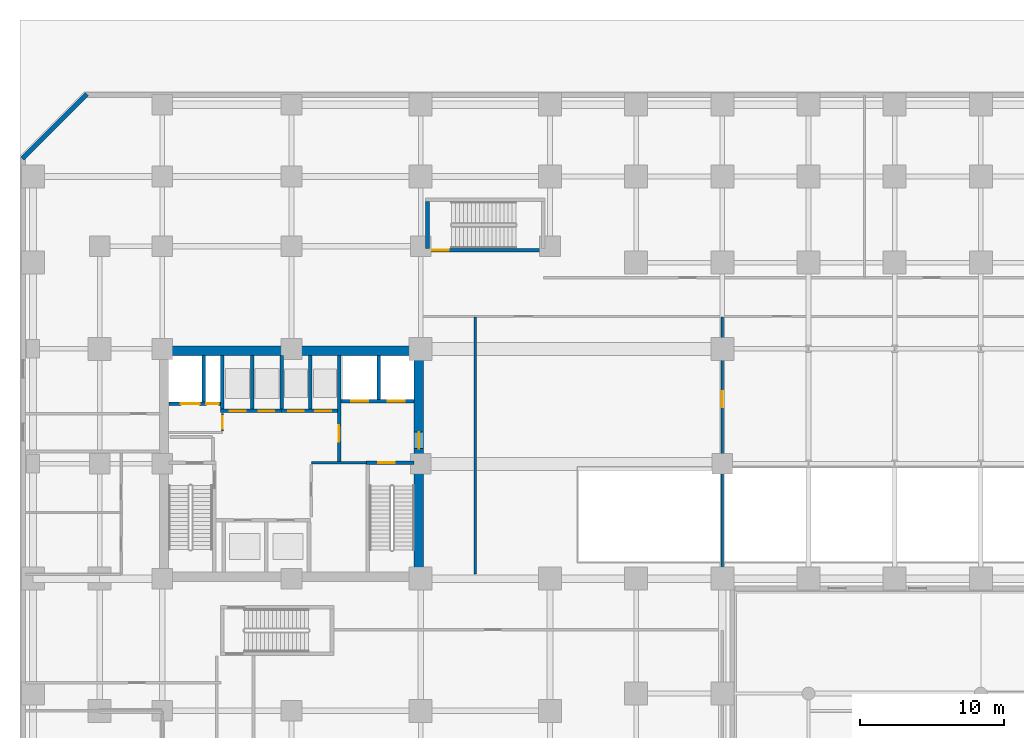
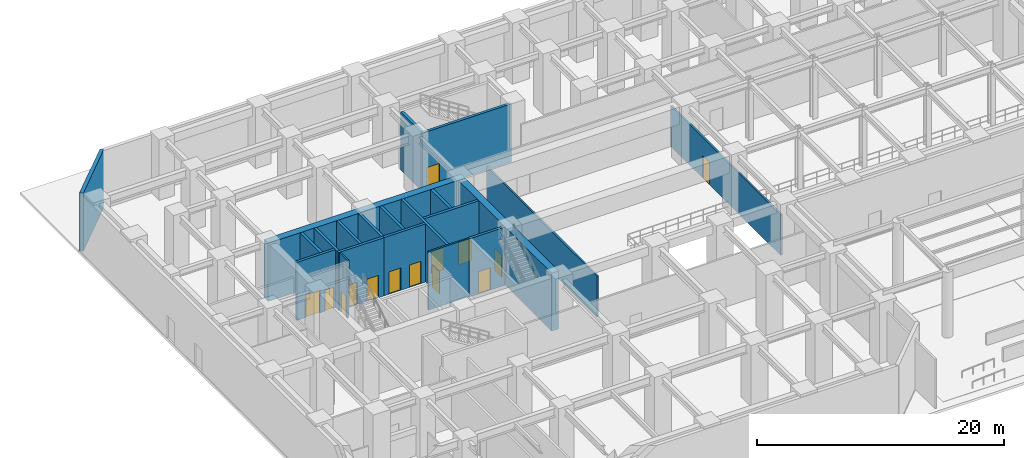
# One storey, part 6 of 13: 21 walls, 14 doors, 14 openings.
"""IFC4 building model written with IfcOpenShell, lengths in metres."""

from ifc_helpers import new_model, si_unit, direction, frame, frame_2d, origin, place, context, subcontext, project, spatial, rectangle, extrude, source, transform, mapped, material, layer, layer_set, type_object, element, fill, save


model = new_model("IFC4")

# Units and contexts
model_context = context("Model", 3, precision=1e-05, world=origin(), true_north=direction((0.0, 1.0)))
body_context = subcontext(model_context, "Body", "Model", "MODEL_VIEW")
ifc_project = project(units=[si_unit("LENGTHUNIT", "METRE"), si_unit("AREAUNIT", "SQUARE_METRE"), si_unit("VOLUMEUNIT", "CUBIC_METRE"), si_unit("PLANEANGLEUNIT", "RADIAN"), si_unit("MASSUNIT", "GRAM", prefix="KILO")], contexts=[model_context])

# Site, building, storey
site_placement = place(None, origin())
site = spatial("IfcSite", under=ifc_project, at=site_placement, CompositionType="ELEMENT")
building_placement = place(site_placement, origin())
building = spatial("IfcBuilding", under=site, at=building_placement, Name="Torre Montelarca", CompositionType="ELEMENT")
storey_placement = place(building_placement, origin())
storey = spatial("IfcBuildingStorey", under=building, at=storey_placement, Name="L01", CompositionType="ELEMENT", Elevation=0.0)

# Wall, opening, door
ifc_material_1 = material(Name="Concrete C40/50", Category="concrete")
ifc_layer_1 = layer(ifc_material_1, 0.25, Name="Concrete C40/50", Category="concrete")
ifc_layer_set_1 = layer_set([ifc_layer_1], Name="Concrete C40/50")
wall_type_1 = type_object("IfcWallType", Name="CW-SHAFT-250", PredefinedType="SHEAR", material=ifc_layer_set_1)
wall_1_placement = place(storey_placement, frame((23.18994140625, 32.074951171875, 0.0), z_axis=(0.0, 0.0, 1.0), x_axis=(1.0, 0.0, 0.0)))
wall_1 = element("IfcWall", 1, at=wall_1_placement, inside=storey, type_object=wall_type_1, Name="L01 Core Shear Wall SH-ST2-N", PredefinedType="SHEAR", context=body_context, shape_type="SweptSolid", body=[
    extrude(rectangle(XDim=3.35009765625, YDim=0.25, at=frame_2d((1.675048828125, 0.0))), origin(), (0.0, 0.0, 1.0), 5.739990234375),
])
opening_1_placement = place(wall_1_placement, frame((0.85009765625, 0.0, 0.0)))
opening_1 = element("IfcOpeningElement", 2, at=opening_1_placement, cuts=wall_1, Name="Opening FD-ST1", PredefinedType="OPENING", context=body_context, shape_type="SweptSolid", body=[
    extrude(rectangle(XDim=1.14990234375, YDim=2.199951171875, at=frame_2d((0.574951171875, 1.10009765625))), frame((0.0, 0.135009765625, 0.0), z_axis=(0.0, -1.0, 0.0), x_axis=(1.0, 0.0, 0.0)), (0.0, 0.0, 1.0), 0.27001953125),
])
ifc_material_2 = material(Name="Galvanized steel fire door", Category="steel")
door_type_1 = type_object("IfcDoorType", Name="DR-STAIR-115", OperationType="NOTDEFINED", PredefinedType="DOOR", material=ifc_material_2)
shared_shape_1 = source(origin(), body_context, "Body", "SweptSolid", [
    extrude(rectangle(XDim=1.14990234375, YDim=2.199951171875, at=frame_2d((0.574951171875, 1.10009765625))), frame((0.0, 0.02490234375, 0.0), z_axis=(0.0, -1.0, 0.0), x_axis=(1.0, 0.0, 0.0)), (0.0, 0.0, 1.0), 0.050048828125),
])
door_1_placement = place(opening_1_placement, origin())
door_1 = element("IfcDoor", 3, at=door_1_placement, inside=storey, type_object=door_type_1, Name="L01 Exit Stair ST2 Fire Door", OperationType="SINGLE_SWING_RIGHT", OverallHeight=2.199951171875, OverallWidth=1.14990234375, PredefinedType="DOOR", context=body_context, shape_type="MappedRepresentation", body=[
    mapped(shared_shape_1, transform((0.0, 0.0, 0.0), scale=1.0)),
])
fill(opening_1, door_1)

wall_2_placement = place(storey_placement, frame((21.320068359375, 32.1201171875, 0.0), z_axis=(0.0, 0.0, 1.0), x_axis=(0.0, 1.0, 0.0)))
wall_2 = element("IfcWall", 4, at=wall_2_placement, inside=storey, type_object=wall_type_1, Name="L01 Core Shear Wall SH-FFL-W", PredefinedType="SHEAR", context=body_context, shape_type="SweptSolid", body=[
    extrude(rectangle(XDim=7.419921875, YDim=0.25, at=frame_2d((3.7099609375, 0.0))), origin(), (0.0, 0.0, 1.0), 5.739990234375),
])
opening_2_placement = place(wall_2_placement, frame((1.39990234375, 0.0, 0.0)))
opening_2 = element("IfcOpeningElement", 5, at=opening_2_placement, cuts=wall_2, Name="Opening FD-LB1", PredefinedType="OPENING", context=body_context, shape_type="SweptSolid", body=[
    extrude(rectangle(XDim=1.14990234375, YDim=2.199951171875, at=frame_2d((0.574951171875, 1.10009765625))), frame((0.0, 0.135009765625, 0.0), z_axis=(0.0, -1.0, 0.0), x_axis=(1.0, 0.0, 0.0)), (0.0, 0.0, 1.0), 0.27001953125),
])
ifc_material_3 = material(Name="Acoustic timber-veneered fire door", Category="wood")
door_type_2 = type_object("IfcDoorType", Name="DR-LOBBY-115", OperationType="NOTDEFINED", PredefinedType="DOOR", material=ifc_material_3)
shared_shape_2 = source(origin(), body_context, "Body", "SweptSolid", [
    extrude(rectangle(XDim=1.14990234375, YDim=2.199951171875, at=frame_2d((0.574951171875, 1.10009765625))), frame((0.0, 0.02490234375, 0.0), z_axis=(0.0, -1.0, 0.0), x_axis=(1.0, 0.0, 0.0)), (0.0, 0.0, 1.0), 0.050048828125),
])
door_2_placement = place(opening_2_placement, origin())
door_2 = element("IfcDoor", 6, at=door_2_placement, inside=storey, type_object=door_type_2, Name="L01 Lift Lobby to Firefighting Lobby Smoke Door", OperationType="SINGLE_SWING_LEFT", OverallHeight=2.199951171875, OverallWidth=1.14990234375, PredefinedType="DOOR", context=body_context, shape_type="MappedRepresentation", body=[
    mapped(shared_shape_2, transform((0.0, 0.0, 0.0), scale=1.0)),
])
fill(opening_2, door_2)

# Wall, openings, doors
wall_3_placement = place(storey_placement, frame((9.4599609375, 36.179931640625, 0.0), z_axis=(0.0, 0.0, 1.0), x_axis=(1.0, 0.0, 0.0)))
wall_3 = element("IfcWall", 7, at=wall_3_placement, inside=storey, type_object=wall_type_1, Name="L01 Core Shear Wall SH-SV1-S", PredefinedType="SHEAR", context=body_context, shape_type="SweptSolid", body=[
    extrude(rectangle(XDim=3.7900390625, YDim=0.25, at=frame_2d((1.89501953125, 0.0))), origin(), (0.0, 0.0, 1.0), 5.739990234375),
])
opening_3_placement = place(wall_3_placement, frame((2.6201171875, 0.0, 0.0)))
opening_3 = element("IfcOpeningElement", 8, at=opening_3_placement, cuts=wall_3, Name="Opening FD-085", PredefinedType="OPENING", context=body_context, shape_type="SweptSolid", body=[
    extrude(rectangle(XDim=0.85009765625, YDim=2.10009765625, at=frame_2d((0.425048828125, 1.050048828125))), frame((0.0, 0.135009765625, 0.0), z_axis=(0.0, -1.0, 0.0), x_axis=(1.0, 0.0, 0.0)), (0.0, 0.0, 1.0), 0.27001953125),
])
opening_4_placement = place(wall_3_placement, frame((0.85009765625, 0.0, 0.0)))
opening_4 = element("IfcOpeningElement", 9, at=opening_4_placement, cuts=wall_3, Name="Opening LD-130", PredefinedType="OPENING", context=body_context, shape_type="SweptSolid", body=[
    extrude(rectangle(XDim=1.300048828125, YDim=2.25, at=frame_2d((0.64990234375, 1.125))), frame((0.0, 0.135009765625, 0.0), z_axis=(0.0, -1.0, 0.0), x_axis=(1.0, 0.0, 0.0)), (0.0, 0.0, 1.0), 0.27001953125),
])
ifc_material_4 = material(Name="Steel riser access fire door", Category="steel")
door_type_3 = type_object("IfcDoorType", Name="DR-RISER-085", OperationType="NOTDEFINED", PredefinedType="DOOR", material=ifc_material_4)
shared_shape_3 = source(origin(), body_context, "Body", "SweptSolid", [
    extrude(rectangle(XDim=0.85009765625, YDim=2.10009765625, at=frame_2d((0.425048828125, 1.050048828125))), frame((0.0, 0.02490234375, 0.0), z_axis=(0.0, -1.0, 0.0), x_axis=(1.0, 0.0, 0.0)), (0.0, 0.0, 1.0), 0.050048828125),
])
door_3_placement = place(opening_3_placement, origin())
door_3 = element("IfcDoor", 10, at=door_3_placement, inside=storey, type_object=door_type_3, Name="L01 Electrical Riser Shaft Access Door", OperationType="SINGLE_SWING_RIGHT", OverallHeight=2.10009765625, OverallWidth=0.85009765625, PredefinedType="DOOR", context=body_context, shape_type="MappedRepresentation", body=[
    mapped(shared_shape_3, transform((0.0, 0.0, 0.0), scale=1.0)),
])
fill(opening_3, door_3)
ifc_material_5 = material(Name="Brushed stainless steel AISI 316", Category="steel")
door_type_4 = type_object("IfcDoorType", Name="DR-LIFT-130", OperationType="SLIDING_TO_LEFT", PredefinedType="DOOR", material=ifc_material_5)
shared_shape_4 = source(origin(), body_context, "Body", "SweptSolid", [
    extrude(rectangle(XDim=1.300048828125, YDim=2.25, at=frame_2d((0.64990234375, 1.125))), frame((0.0, 0.02490234375, 0.0), z_axis=(0.0, -1.0, 0.0), x_axis=(1.0, 0.0, 0.0)), (0.0, 0.0, 1.0), 0.050048828125),
])
door_4_placement = place(opening_4_placement, origin())
door_4 = element("IfcDoor", 11, at=door_4_placement, inside=storey, type_object=door_type_4, Name="L01 Lift Landing Sliding Door SV-1", OperationType="SLIDING_TO_LEFT", OverallHeight=2.25, OverallWidth=1.300048828125, PredefinedType="DOOR", context=body_context, shape_type="MappedRepresentation", body=[
    mapped(shared_shape_4, transform((0.0, 0.0, 0.0), scale=1.0)),
])
fill(opening_4, door_4)

# Wall
wall_4_placement = place(storey_placement, frame((11.89990234375, 36.31005859375, 0.0), z_axis=(0.0, 0.0, 1.0), x_axis=(0.0, 1.0, 0.0)))
element("IfcWall", 12, at=wall_4_placement, inside=storey, type_object=wall_type_1, Name="L01 Core Shear Wall SH-SV1-E", PredefinedType="SHEAR", context=body_context, shape_type="SweptSolid", body=[
    extrude(rectangle(XDim=3.22998046875, YDim=0.25, at=frame_2d((1.614990234375, 0.0))), origin(), (0.0, 0.0, 1.0), 5.739990234375),
])

# Wall, openings, doors
wall_5_placement = place(storey_placement, frame((21.449951171875, 36.35009765625, 0.0), z_axis=(0.0, 0.0, 1.0), x_axis=(1.0, 0.0, 0.0)))
wall_5 = element("IfcWall", 13, at=wall_5_placement, inside=storey, type_object=wall_type_1, Name="L01 Core Shear Wall SH-FF-S", PredefinedType="SHEAR", context=body_context, shape_type="SweptSolid", body=[
    extrude(rectangle(XDim=5.090087890625, YDim=0.25, at=frame_2d((2.544921875, 0.0))), origin(), (0.0, 0.0, 1.0), 5.739990234375),
])
opening_5_placement = place(wall_5_placement, frame((0.699951171875, 0.0, 0.0)))
opening_5 = element("IfcOpeningElement", 14, at=opening_5_placement, cuts=wall_5, Name="Opening LD-120", PredefinedType="OPENING", context=body_context, shape_type="SweptSolid", body=[
    extrude(rectangle(XDim=1.199951171875, YDim=2.199951171875, at=frame_2d((0.60009765625, 1.10009765625))), frame((0.0, 0.135009765625, 0.0), z_axis=(0.0, -1.0, 0.0), x_axis=(1.0, 0.0, 0.0)), (0.0, 0.0, 1.0), 0.27001953125),
])
opening_6_placement = place(wall_5_placement, frame((3.25, 0.0, 0.0)))
opening_6 = element("IfcOpeningElement", 15, at=opening_6_placement, cuts=wall_5, Name="Opening LD-120", PredefinedType="OPENING", context=body_context, shape_type="SweptSolid", body=[
    extrude(rectangle(XDim=1.199951171875, YDim=2.199951171875, at=frame_2d((0.60009765625, 1.10009765625))), frame((0.0, 0.135009765625, 0.0), z_axis=(0.0, -1.0, 0.0), x_axis=(1.0, 0.0, 0.0)), (0.0, 0.0, 1.0), 0.27001953125),
])
door_type_5 = type_object("IfcDoorType", Name="DR-LIFT-120", OperationType="SLIDING_TO_RIGHT", PredefinedType="DOOR", material=ifc_material_5)
shared_shape_5 = source(origin(), body_context, "Body", "SweptSolid", [
    extrude(rectangle(XDim=1.199951171875, YDim=2.199951171875, at=frame_2d((0.60009765625, 1.10009765625))), frame((0.0, 0.02490234375, 0.0), z_axis=(0.0, -1.0, 0.0), x_axis=(1.0, 0.0, 0.0)), (0.0, 0.0, 1.0), 0.050048828125),
])
door_5_placement = place(opening_5_placement, origin())
door_5 = element("IfcDoor", 16, at=door_5_placement, inside=storey, type_object=door_type_5, Name="L01 Lift Landing Sliding Door FF-1", OperationType="SLIDING_TO_LEFT", OverallHeight=2.199951171875, OverallWidth=1.199951171875, PredefinedType="DOOR", context=body_context, shape_type="MappedRepresentation", body=[
    mapped(shared_shape_5, transform((0.0, 0.0, 0.0), scale=1.0)),
])
fill(opening_5, door_5)
door_6_placement = place(opening_6_placement, origin())
door_6 = element("IfcDoor", 17, at=door_6_placement, inside=storey, type_object=door_type_5, Name="L01 Lift Landing Sliding Door FF-2", OperationType="SLIDING_TO_RIGHT", OverallHeight=2.199951171875, OverallWidth=1.199951171875, PredefinedType="DOOR", context=body_context, shape_type="MappedRepresentation", body=[
    mapped(shared_shape_5, transform((0.0, 0.0, 0.0), scale=1.0)),
])
fill(opening_6, door_6)

# Wall
wall_6_placement = place(storey_placement, frame((24.080078125, 36.47998046875, 0.0), z_axis=(0.0, 0.0, 1.0), x_axis=(0.0, 1.0, 0.0)))
element("IfcWall", 18, at=wall_6_placement, inside=storey, type_object=wall_type_1, Name="L01 Core Shear Wall SH-FF-M", PredefinedType="SHEAR", context=body_context, shape_type="SweptSolid", body=[
    extrude(rectangle(XDim=3.06005859375, YDim=0.25, at=frame_2d((1.530029296875, 0.0))), origin(), (0.0, 0.0, 1.0), 5.739990234375),
])

# Wall, openings, doors
wall_7_placement = place(storey_placement, frame((13.06005859375, 35.679931640625, 0.0), z_axis=(0.0, 0.0, 1.0), x_axis=(1.0, 0.0, 0.0)))
wall_7 = element("IfcWall", 19, at=wall_7_placement, inside=storey, type_object=wall_type_1, Name="L01 Core Shear Wall SH-PLM-S", PredefinedType="SHEAR", context=body_context, shape_type="SweptSolid", body=[
    extrude(rectangle(XDim=4.25, YDim=0.25, at=frame_2d((2.125, 0.0))), origin(), (0.0, 0.0, 1.0), 5.739990234375),
])
opening_7_placement = place(wall_7_placement, frame((0.64990234375, 0.0, 0.0)))
opening_7 = element("IfcOpeningElement", 20, at=opening_7_placement, cuts=wall_7, Name="Opening LD-110", PredefinedType="OPENING", context=body_context, shape_type="SweptSolid", body=[
    extrude(rectangle(XDim=1.10009765625, YDim=2.199951171875, at=frame_2d((0.550048828125, 1.10009765625))), frame((0.0, 0.135009765625, 0.0), z_axis=(0.0, -1.0, 0.0), x_axis=(1.0, 0.0, 0.0)), (0.0, 0.0, 1.0), 0.27001953125),
])
opening_8_placement = place(wall_7_placement, frame((2.64990234375, 0.0, 0.0)))
opening_8 = element("IfcOpeningElement", 21, at=opening_8_placement, cuts=wall_7, Name="Opening LD-110", PredefinedType="OPENING", context=body_context, shape_type="SweptSolid", body=[
    extrude(rectangle(XDim=1.10009765625, YDim=2.199951171875, at=frame_2d((0.550048828125, 1.10009765625))), frame((0.0, 0.135009765625, 0.0), z_axis=(0.0, -1.0, 0.0), x_axis=(1.0, 0.0, 0.0)), (0.0, 0.0, 1.0), 0.27001953125),
])
door_type_6 = type_object("IfcDoorType", Name="DR-LIFT-110", OperationType="SLIDING_TO_LEFT", PredefinedType="DOOR", material=ifc_material_5)
shared_shape_6 = source(origin(), body_context, "Body", "SweptSolid", [
    extrude(rectangle(XDim=1.10009765625, YDim=2.199951171875, at=frame_2d((0.550048828125, 1.10009765625))), frame((0.0, 0.02490234375, 0.0), z_axis=(0.0, -1.0, 0.0), x_axis=(1.0, 0.0, 0.0)), (0.0, 0.0, 1.0), 0.050048828125),
])
door_7_placement = place(opening_7_placement, origin())
door_7 = element("IfcDoor", 22, at=door_7_placement, inside=storey, type_object=door_type_6, Name="L01 Lift Landing Sliding Door PL-M1", OperationType="SLIDING_TO_LEFT", OverallHeight=2.199951171875, OverallWidth=1.10009765625, PredefinedType="DOOR", context=body_context, shape_type="MappedRepresentation", body=[
    mapped(shared_shape_6, transform((0.0, 0.0, 0.0), scale=1.0)),
])
fill(opening_7, door_7)
door_8_placement = place(opening_8_placement, origin())
door_8 = element("IfcDoor", 23, at=door_8_placement, inside=storey, type_object=door_type_6, Name="L01 Lift Landing Sliding Door PL-M2", OperationType="SLIDING_TO_RIGHT", OverallHeight=2.199951171875, OverallWidth=1.10009765625, PredefinedType="DOOR", context=body_context, shape_type="MappedRepresentation", body=[
    mapped(shared_shape_6, transform((0.0, 0.0, 0.0), scale=1.0)),
])
fill(opening_8, door_8)

# Walls
for number, where, z_axis, x_axis, name in (
    (24, (13.179931640625, 35.81005859375, 0.0), (0.0, 0.0, 1.0), (0.0, 1.0, 0.0), "L01 Core Shear Wall SH-PLM-W"),
    (25, (15.280029296875, 35.81005859375, 0.0), (0.0, 0.0, 1.0), (0.0, 1.0, 0.0), "L01 Core Shear Wall SH-PLM-M"),
):
    element("IfcWall", number, at=place(storey_placement, frame(where, z_axis=z_axis, x_axis=x_axis)), inside=storey, type_object=wall_type_1, Name=name, PredefinedType="SHEAR", context=body_context, shape_type="SweptSolid", body=[
        extrude(rectangle(XDim=3.72998046875, YDim=0.25, at=frame_2d((1.864990234375, 0.0))), origin(), (0.0, 0.0, 1.0), 5.739990234375),
    ])

# Wall, openings, doors
wall_8_placement = place(storey_placement, frame((17.320068359375, 35.679931640625, 0.0), z_axis=(0.0, 0.0, 1.0), x_axis=(1.0, 0.0, 0.0)))
wall_8 = element("IfcWall", 26, at=wall_8_placement, inside=storey, type_object=wall_type_1, Name="L01 Core Shear Wall SH-PLH-S", PredefinedType="SHEAR", context=body_context, shape_type="SweptSolid", body=[
    extrude(rectangle(XDim=3.869873046875, YDim=0.25, at=frame_2d((1.93505859375, 0.0))), origin(), (0.0, 0.0, 1.0), 5.739990234375),
])
opening_9_placement = place(wall_8_placement, frame((0.449951171875, 0.0, 0.0)))
opening_9 = element("IfcOpeningElement", 27, at=opening_9_placement, cuts=wall_8, Name="Opening LD-110", PredefinedType="OPENING", context=body_context, shape_type="SweptSolid", body=[
    extrude(rectangle(XDim=1.10009765625, YDim=2.199951171875, at=frame_2d((0.550048828125, 1.10009765625))), frame((0.0, 0.135009765625, 0.0), z_axis=(0.0, -1.0, 0.0), x_axis=(1.0, 0.0, 0.0)), (0.0, 0.0, 1.0), 0.27001953125),
])
opening_10_placement = place(wall_8_placement, frame((2.35009765625, 0.0, 0.0)))
opening_10 = element("IfcOpeningElement", 28, at=opening_10_placement, cuts=wall_8, Name="Opening LD-110", PredefinedType="OPENING", context=body_context, shape_type="SweptSolid", body=[
    extrude(rectangle(XDim=1.10009765625, YDim=2.199951171875, at=frame_2d((0.550048828125, 1.10009765625))), frame((0.0, 0.135009765625, 0.0), z_axis=(0.0, -1.0, 0.0), x_axis=(1.0, 0.0, 0.0)), (0.0, 0.0, 1.0), 0.27001953125),
])
door_9_placement = place(opening_9_placement, origin())
door_9 = element("IfcDoor", 29, at=door_9_placement, inside=storey, type_object=door_type_6, Name="L01 Lift Landing Sliding Door PL-H1", OperationType="SLIDING_TO_LEFT", OverallHeight=2.199951171875, OverallWidth=1.10009765625, PredefinedType="DOOR", context=body_context, shape_type="MappedRepresentation", body=[
    mapped(shared_shape_6, transform((0.0, 0.0, 0.0), scale=1.0)),
])
fill(opening_9, door_9)
door_10_placement = place(opening_10_placement, origin())
door_10 = element("IfcDoor", 30, at=door_10_placement, inside=storey, type_object=door_type_6, Name="L01 Lift Landing Sliding Door PL-H2", OperationType="SLIDING_TO_RIGHT", OverallHeight=2.199951171875, OverallWidth=1.10009765625, PredefinedType="DOOR", context=body_context, shape_type="MappedRepresentation", body=[
    mapped(shared_shape_6, transform((0.0, 0.0, 0.0), scale=1.0)),
])
fill(opening_10, door_10)

# Walls
for number, where, z_axis, x_axis, name in (
    (31, (17.320068359375, 35.81005859375, 0.0), (0.0, 0.0, 1.0), (0.0, 1.0, 0.0), "L01 Core Shear Wall SH-PLH-W"),
    (32, (19.320068359375, 35.81005859375, 0.0), (0.0, 0.0, 1.0), (0.0, 1.0, 0.0), "L01 Core Shear Wall SH-PLH-M"),
):
    element("IfcWall", number, at=place(storey_placement, frame(where, z_axis=z_axis, x_axis=x_axis)), inside=storey, type_object=wall_type_1, Name=name, PredefinedType="SHEAR", context=body_context, shape_type="SweptSolid", body=[
        extrude(rectangle(XDim=3.72998046875, YDim=0.25, at=frame_2d((1.864990234375, 0.0))), origin(), (0.0, 0.0, 1.0), 5.739990234375),
    ])
wall_9_placement = place(storey_placement, frame((27.47509765625, 47.0, 0.0), z_axis=(0.0, 0.0, 1.0), x_axis=(0.0, 1.0, 0.0)))
element("IfcWall", 33, at=wall_9_placement, inside=storey, type_object=wall_type_1, Name="L01 Core Shear Wall SH-ST4-W", PredefinedType="SHEAR", context=body_context, shape_type="SweptSolid", body=[
    extrude(rectangle(XDim=3.25, YDim=0.25, at=frame_2d((1.625, 0.0))), origin(), (0.0, 0.0, 1.0), 5.739990234375),
])

# Wall, opening, door
wall_10_placement = place(storey_placement, frame((27.35009765625, 46.875, 0.0), z_axis=(0.0, 0.0, 1.0), x_axis=(1.0, 0.0, 0.0)))
wall_10 = element("IfcWall", 34, at=wall_10_placement, inside=storey, type_object=wall_type_1, Name="L01 Core Shear Wall SH-ST4-S", PredefinedType="SHEAR", context=body_context, shape_type="SweptSolid", body=[
    extrude(rectangle(XDim=8.2998046875, YDim=0.25, at=frame_2d((4.14990234375, 0.0))), origin(), (0.0, 0.0, 1.0), 5.739990234375),
])
opening_11_placement = place(wall_10_placement, frame((0.449951171875, 0.0, 0.0)))
opening_11 = element("IfcOpeningElement", 35, at=opening_11_placement, cuts=wall_10, Name="Opening FD-LB1", PredefinedType="OPENING", context=body_context, shape_type="SweptSolid", body=[
    extrude(rectangle(XDim=1.14990234375, YDim=2.199951171875, at=frame_2d((0.574951171875, 1.10009765625))), frame((0.0, 0.135009765625, 0.0), z_axis=(0.0, -1.0, 0.0), x_axis=(1.0, 0.0, 0.0)), (0.0, 0.0, 1.0), 0.27001953125),
])
door_11_placement = place(opening_11_placement, origin())
door_11 = element("IfcDoor", 36, at=door_11_placement, inside=storey, type_object=door_type_2, Name="L01 Podium Feature Stair ST4 Door", OperationType="SINGLE_SWING_RIGHT", OverallHeight=2.199951171875, OverallWidth=1.14990234375, PredefinedType="DOOR", context=body_context, shape_type="MappedRepresentation", body=[
    mapped(shared_shape_2, transform((0.0, 0.0, 0.0), scale=1.0)),
])
fill(opening_11, door_11)

ifc_material_6 = material(Name="Concrete C70/85", Category="concrete")
ifc_layer_2 = layer(ifc_material_6, 0.64990234375, Name="Concrete C70/85", Category="concrete")
ifc_layer_set_2 = layer_set([ifc_layer_2], Name="Concrete C70/85")
wall_type_2 = type_object("IfcWallType", Name="CW-SHEAR-650", PredefinedType="SHEAR", material=ifc_layer_set_2)
wall_11_placement = place(storey_placement, frame((26.875, 24.449951171875, 0.0), z_axis=(0.0, 0.0, 1.0), x_axis=(0.0, 1.0, 0.0)))
wall_11 = element("IfcWall", 37, at=wall_11_placement, inside=storey, type_object=wall_type_2, Name="L01 Core Shear Wall CW-E", PredefinedType="SHEAR", context=body_context, shape_type="SweptSolid", body=[
    extrude(rectangle(XDim=15.10009765625, YDim=0.64990234375, at=frame_2d((7.550048828125, 0.0))), origin(), (0.0, 0.0, 1.0), 5.739990234375),
])
opening_12_placement = place(wall_11_placement, frame((8.60009765625, 0.0, 0.0)))
opening_12 = element("IfcOpeningElement", 38, at=opening_12_placement, cuts=wall_11, Name="Opening FD-LB1", PredefinedType="OPENING", context=body_context, shape_type="SweptSolid", body=[
    extrude(rectangle(XDim=1.14990234375, YDim=2.199951171875, at=frame_2d((0.574951171875, 1.10009765625))), frame((0.0, 0.3349609375, 0.0), z_axis=(0.0, -1.0, 0.0), x_axis=(1.0, 0.0, 0.0)), (0.0, 0.0, 1.0), 0.669921875),
])
door_12_placement = place(opening_12_placement, origin())
door_12 = element("IfcDoor", 39, at=door_12_placement, inside=storey, type_object=door_type_2, Name="L01 Firefighting Lift Lobby Corridor Fire Door", OperationType="SINGLE_SWING_RIGHT", OverallHeight=2.199951171875, OverallWidth=1.14990234375, PredefinedType="DOOR", context=body_context, shape_type="MappedRepresentation", body=[
    mapped(shared_shape_2, transform((0.0, 0.0, 0.0), scale=1.0)),
])
fill(opening_12, door_12)

# Walls
wall_12_placement = place(storey_placement, frame((8.800048828125, 39.875, 0.0), z_axis=(0.0, 0.0, 1.0), x_axis=(1.0, 0.0, 0.0)))
element("IfcWall", 40, at=wall_12_placement, inside=storey, type_object=wall_type_2, Name="L01 Core Shear Wall CW-N1", PredefinedType="SHEAR", context=body_context, shape_type="SweptSolid", body=[
    extrude(rectangle(XDim=18.39990234375, YDim=0.64990234375, at=frame_2d((9.199951171875, 0.0))), origin(), (0.0, 0.0, 1.0), 5.739990234375),
])
ifc_material_7 = material(Name="Precast concrete C45/55", Category="concrete")
ifc_layer_3 = layer(ifc_material_7, 0.320068359375, Name="Precast concrete C45/55", Category="concrete")
ifc_layer_set_3 = layer_set([ifc_layer_3], Name="Precast concrete C45/55")
wall_type_3 = type_object("IfcWallType", Name="EW-CONC-320", PredefinedType="SOLIDWALL", material=ifc_layer_set_3)
wall_13_placement = place(storey_placement, frame((3.755615234375, 57.744384765625, 0.0), z_axis=(0.0, 0.0, 1.0), x_axis=(-0.707106781187, -0.707106781187, 0.0)))
element("IfcWall", 41, at=wall_13_placement, inside=storey, type_object=wall_type_3, Name="L01 Podium Precast Concrete Wall E09", PredefinedType="SOLIDWALL", context=body_context, shape_type="SweptSolid", body=[
    extrude(rectangle(XDim=6.364013671875, YDim=0.320068359375, at=frame_2d((3.18212890625, 0.0))), origin(), (0.0, 0.0, 1.0), 5.739990234375),
])

# Wall, opening, door
ifc_material_8 = material(Name="Gypsum plasterboard on steel stud", Category="steel")
ifc_layer_4 = layer(ifc_material_8, 0.159912109375, Name="Gypsum plasterboard on steel stud", Category="steel")
ifc_layer_set_4 = layer_set([ifc_layer_4], Name="Gypsum plasterboard on steel stud")
wall_type_4 = type_object("IfcWallType", Name="PW-FIRE-160", PredefinedType="PARTITIONING", material=ifc_layer_set_4)
wall_14_placement = place(storey_placement, frame((13.199951171875, 34.27001953125, 0.0), z_axis=(0.0, 0.0, 1.0), x_axis=(0.0, 1.0, 0.0)))
wall_14 = element("IfcWall", 42, at=wall_14_placement, inside=storey, type_object=wall_type_4, Name="L01 Interior Partition CW-L01-SVE", PredefinedType="PARTITIONING", context=body_context, shape_type="SweptSolid", body=[
    extrude(rectangle(XDim=1.239990234375, YDim=0.159912109375, at=frame_2d((0.6201171875, 0.0))), origin(), (0.0, 0.0, 1.0), 5.739990234375),
])
opening_13_placement = place(wall_14_placement, frame((0.179931640625, 0.0, 0.0)))
opening_13 = element("IfcOpeningElement", 43, at=opening_13_placement, cuts=wall_14, Name="Opening FD-085", PredefinedType="OPENING", context=body_context, shape_type="SweptSolid", body=[
    extrude(rectangle(XDim=0.85009765625, YDim=2.10009765625, at=frame_2d((0.425048828125, 1.050048828125))), frame((0.0, 0.08984375, 0.0), z_axis=(0.0, -1.0, 0.0), x_axis=(1.0, 0.0, 0.0)), (0.0, 0.0, 1.0), 0.179931640625),
])
door_13_placement = place(opening_13_placement, origin())
door_13 = element("IfcDoor", 44, at=door_13_placement, inside=storey, type_object=door_type_3, Name="L01 Interior Door 01", OperationType="SINGLE_SWING_RIGHT", OverallHeight=2.10009765625, OverallWidth=0.85009765625, PredefinedType="DOOR", context=body_context, shape_type="MappedRepresentation", body=[
    mapped(shared_shape_3, transform((0.0, 0.0, 0.0), scale=1.0)),
])
fill(opening_13, door_13)

# Walls
wall_15_placement = place(storey_placement, frame((19.389892578125, 32.080078125, 0.0), z_axis=(0.0, 0.0, 1.0), x_axis=(1.0, 0.0, 0.0)))
element("IfcWall", 45, at=wall_15_placement, inside=storey, type_object=wall_type_4, Name="L01 Interior Partition CW-L01-SEN", PredefinedType="PARTITIONING", context=body_context, shape_type="SweptSolid", body=[
    extrude(rectangle(XDim=3.820068359375, YDim=0.159912109375, at=frame_2d((1.91015625, 0.0))), origin(), (0.0, 0.0, 1.0), 5.739990234375),
])
wall_16_placement = place(storey_placement, frame((30.800048828125, 24.340087890625, 0.0), z_axis=(0.0, 0.0, 1.0), x_axis=(0.0, 1.0, 0.0)))
element("IfcWall", 46, at=wall_16_placement, inside=storey, type_object=wall_type_4, Name="L01 Interior Partition W-L01-CNW", PredefinedType="PARTITIONING", context=body_context, shape_type="SweptSolid", body=[
    extrude(rectangle(XDim=17.869873046875, YDim=0.159912109375, at=frame_2d((8.93505859375, 0.0))), origin(), (0.0, 0.0, 1.0), 4.02490234375),
])

# Wall, opening, door
wall_17_placement = place(storey_placement, frame((48.0, 24.43994140625, 0.0), z_axis=(0.0, 0.0, 1.0), x_axis=(0.0, 1.0, 0.0)))
wall_17 = element("IfcWall", 47, at=wall_17_placement, inside=storey, type_object=wall_type_4, Name="L01 Interior Partition W-L01-HDIV", PredefinedType="PARTITIONING", context=body_context, shape_type="SweptSolid", body=[
    extrude(rectangle(XDim=17.77001953125, YDim=0.159912109375, at=frame_2d((8.885009765625, 0.0))), origin(), (0.0, 0.0, 1.0), 4.02490234375),
])
opening_14_placement = place(wall_17_placement, frame((11.5, 0.0, 0.0)))
opening_14 = element("IfcOpeningElement", 48, at=opening_14_placement, cuts=wall_17, Name="Opening FD-110", PredefinedType="OPENING", context=body_context, shape_type="SweptSolid", body=[
    extrude(rectangle(XDim=1.10009765625, YDim=2.199951171875, at=frame_2d((0.550048828125, 1.10009765625))), frame((0.0, 0.08984375, 0.0), z_axis=(0.0, -1.0, 0.0), x_axis=(1.0, 0.0, 0.0)), (0.0, 0.0, 1.0), 0.179931640625),
])
ifc_material_9 = material(Name="Timber fire-rated suite door", Category="wood")
door_type_7 = type_object("IfcDoorType", Name="DR-FIRE-110", OperationType="NOTDEFINED", PredefinedType="DOOR", material=ifc_material_9)
shared_shape_7 = source(origin(), body_context, "Body", "SweptSolid", [
    extrude(rectangle(XDim=1.10009765625, YDim=2.199951171875, at=frame_2d((0.550048828125, 1.10009765625))), frame((0.0, 0.02490234375, 0.0), z_axis=(0.0, -1.0, 0.0), x_axis=(1.0, 0.0, 0.0)), (0.0, 0.0, 1.0), 0.050048828125),
])
door_14_placement = place(opening_14_placement, origin())
door_14 = element("IfcDoor", 49, at=door_14_placement, inside=storey, type_object=door_type_7, Name="L01 Interior Door 11", OperationType="SINGLE_SWING_LEFT", OverallHeight=2.199951171875, OverallWidth=1.10009765625, PredefinedType="DOOR", context=body_context, shape_type="MappedRepresentation", body=[
    mapped(shared_shape_7, transform((0.0, 0.0, 0.0), scale=1.0)),
])
fill(opening_14, door_14)

save(model, "model.ifc")
